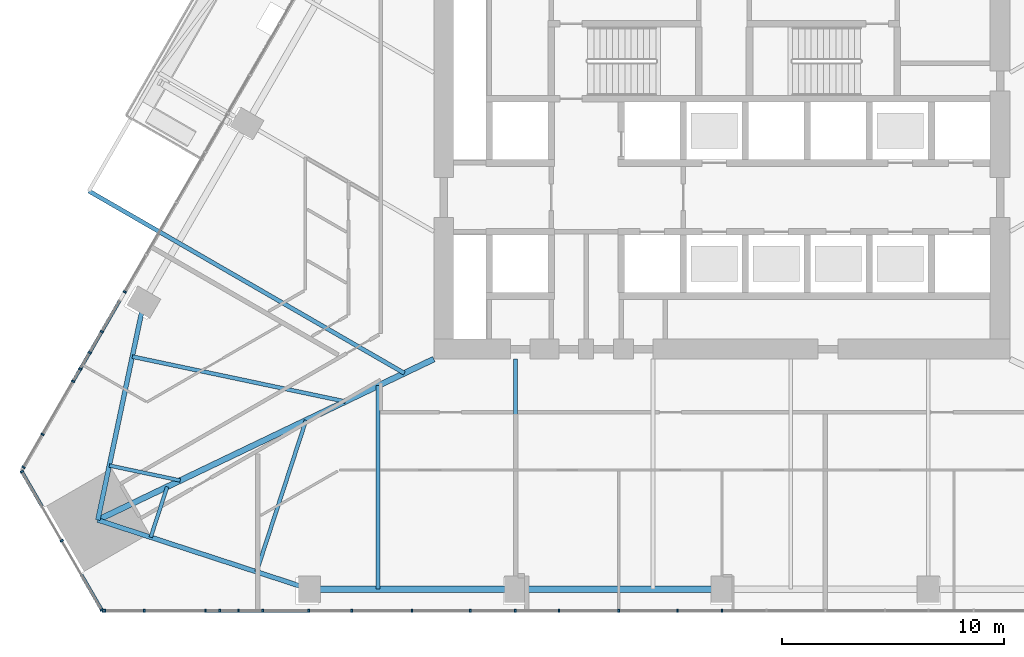
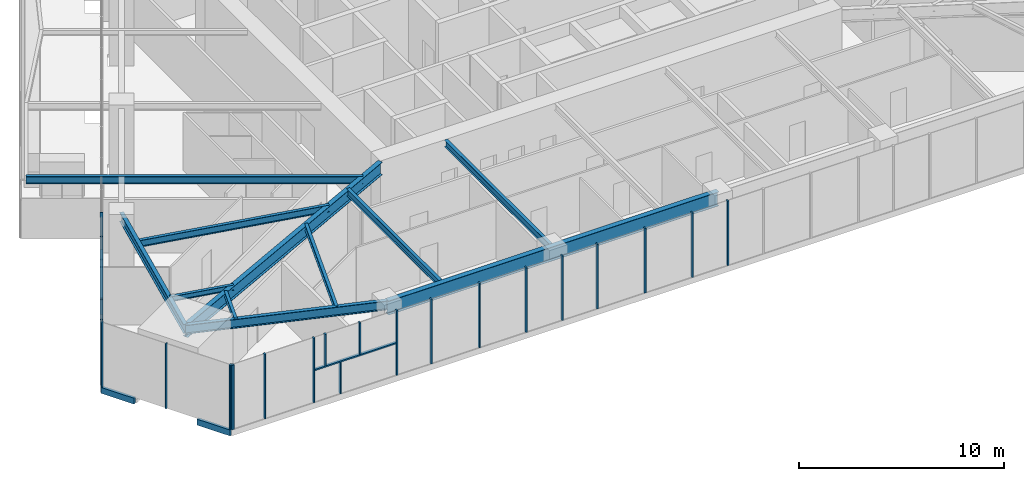
# One storey, part 2 of 26: 30 members, 11 beams, 3 elements without a shape of their own.
"""IFC4 building model written with IfcOpenShell, lengths in metres."""

from ifc_helpers import new_model, si_unit, direction, frame, origin, origin_2d, place, context, subcontext, project, spatial, rectangle, i_section, extrude, material, layer, layer_set, material_profile, profile_set, type_object, element, aggregate, save


model = new_model("IFC4")

# Units and contexts
model_context = context("Model", 3, precision=1e-05, world=origin(), true_north=direction((0.0, 1.0)))
body_context = subcontext(model_context, "Body", "Model", "MODEL_VIEW")
ifc_project = project(units=[si_unit("LENGTHUNIT", "METRE"), si_unit("AREAUNIT", "SQUARE_METRE"), si_unit("VOLUMEUNIT", "CUBIC_METRE"), si_unit("PLANEANGLEUNIT", "RADIAN"), si_unit("MASSUNIT", "GRAM", prefix="KILO")], contexts=[model_context])

# Site, building, storey
site_placement = place(None, origin())
site = spatial("IfcSite", under=ifc_project, at=site_placement, CompositionType="ELEMENT")
building_placement = place(site_placement, origin())
building = spatial("IfcBuilding", under=site, at=building_placement, Name="Firuza Gate Tower and Library", CompositionType="ELEMENT")
storey_placement = place(building_placement, frame((0.0, 0.0, 115.60009765625)))
storey = spatial("IfcBuildingStorey", under=building, at=storey_placement, Name="L26", CompositionType="ELEMENT", Elevation=115.60009765625)

# Curtain wall, members
ifc_material_1 = material(Name="Aluminium 6063-T6", Category="aluminium")
ifc_layer_1 = layer(ifc_material_1, 0.14990234375)
ifc_layer_set_1 = layer_set([ifc_layer_1], Name="Unitised curtain wall, offices")
curtain_wall_type_1 = type_object("IfcCurtainWallType", Name="Unitised curtain wall, offices", PredefinedType="NOTDEFINED", material=ifc_layer_set_1)
placement = place(storey_placement, origin())
curtain_wall_1 = element("IfcCurtainWall", 1, at=placement, inside=storey, type_object=curtain_wall_type_1, Name="CW1 L26 S face", PredefinedType="NOTDEFINED")
ifc_material_2 = material(Name="Aluminium 6063-T6", Category="aluminium")
ifc_material_profile_1 = material_profile(ifc_material_2, rectangle(XDim=0.14990234375, YDim=0.080078125, at=origin_2d()))
ifc_profile_set_1 = profile_set([ifc_material_profile_1], Name="Aluminium 6063-T6")
member_type_1 = type_object("IfcMemberType", Name="Curtain wall mullion 80x150", PredefinedType="MULLION", material=ifc_profile_set_1)
member_1_placement = place(storey_placement, frame((47.08154296875, 54.6513671875, 0.14990234375), z_axis=(0.0, 0.0, 1.0), x_axis=(0.0, 1.0, 0.0)))
member_1 = element("IfcMember", 2, at=member_1_placement, type_object=member_type_1, Name="Mullion", PredefinedType="MULLION", context=body_context, shape_type="SweptSolid", body=[
    extrude(rectangle(XDim=0.14990234375, YDim=0.080078125, at=origin_2d()), origin(), (0.0, 0.0, 1.0), 3.85009765625),
])
member_2_placement = place(storey_placement, frame((51.701171875, 54.6513671875, 0.14990234375), z_axis=(0.0, 0.0, 1.0), x_axis=(0.0, 1.0, 0.0)))
member_2 = element("IfcMember", 3, at=member_2_placement, type_object=member_type_1, Name="Mullion", PredefinedType="MULLION", context=body_context, shape_type="SweptSolid", body=[
    extrude(rectangle(XDim=0.14990234375, YDim=0.080078125, at=origin_2d()), origin(), (0.0, 0.0, 1.0), 3.85009765625),
])
member_3_placement = place(storey_placement, frame((56.361083984375, 54.6513671875, 0.14990234375), z_axis=(0.0, 0.0, 1.0), x_axis=(0.0, 1.0, 0.0)))
member_3 = element("IfcMember", 4, at=member_3_placement, type_object=member_type_1, Name="Mullion", PredefinedType="MULLION", context=body_context, shape_type="SweptSolid", body=[
    extrude(rectangle(XDim=0.14990234375, YDim=0.080078125, at=origin_2d()), origin(), (0.0, 0.0, 1.0), 3.85009765625),
])
member_4_placement = place(storey_placement, frame((61.020751953125, 54.6513671875, 0.14990234375), z_axis=(0.0, 0.0, 1.0), x_axis=(0.0, 1.0, 0.0)))
member_4 = element("IfcMember", 5, at=member_4_placement, type_object=member_type_1, Name="Mullion", PredefinedType="MULLION", context=body_context, shape_type="SweptSolid", body=[
    extrude(rectangle(XDim=0.14990234375, YDim=0.080078125, at=origin_2d()), origin(), (0.0, 0.0, 1.0), 3.85009765625),
])
member_5_placement = place(storey_placement, frame((65.680419921875, 54.6513671875, 0.14990234375), z_axis=(0.0, 0.0, 1.0), x_axis=(0.0, 1.0, 0.0)))
member_5 = element("IfcMember", 6, at=member_5_placement, type_object=member_type_1, Name="Mullion", PredefinedType="MULLION", context=body_context, shape_type="SweptSolid", body=[
    extrude(rectangle(XDim=0.14990234375, YDim=0.080078125, at=origin_2d()), origin(), (0.0, 0.0, 1.0), 3.85009765625),
])
member_6_placement = place(storey_placement, frame((70.34033203125, 54.6513671875, 0.14990234375), z_axis=(0.0, 0.0, 1.0), x_axis=(0.0, 1.0, 0.0)))
member_6 = element("IfcMember", 7, at=member_6_placement, type_object=member_type_1, Name="Mullion", PredefinedType="MULLION", context=body_context, shape_type="SweptSolid", body=[
    extrude(rectangle(XDim=0.14990234375, YDim=0.080078125, at=origin_2d()), origin(), (0.0, 0.0, 1.0), 3.85009765625),
])
member_7_placement = place(storey_placement, frame((75.0, 54.6513671875, 0.14990234375), z_axis=(0.0, 0.0, 1.0), x_axis=(0.0, 1.0, 0.0)))
member_7 = element("IfcMember", 8, at=member_7_placement, type_object=member_type_1, Name="Mullion", PredefinedType="MULLION", context=body_context, shape_type="SweptSolid", body=[
    extrude(rectangle(XDim=0.14990234375, YDim=0.080078125, at=origin_2d()), origin(), (0.0, 0.0, 1.0), 3.85009765625),
])
member_8_placement = place(storey_placement, frame((47.16015625, 54.6513671875, 0.14990234375), z_axis=(0.0, 0.0, 1.0), x_axis=(0.0, 1.0, 0.0)))
member_8 = element("IfcMember", 9, at=member_8_placement, type_object=member_type_1, Name="Mullion", PredefinedType="MULLION", context=body_context, shape_type="SweptSolid", body=[
    extrude(rectangle(XDim=0.14990234375, YDim=0.080078125, at=origin_2d()), origin(), (0.0, 0.0, 1.0), 3.85009765625),
])
member_9_placement = place(storey_placement, frame((48.941650390625, 54.6513671875, 0.14990234375), z_axis=(0.0, 0.0, 1.0), x_axis=(0.0, 1.0, 0.0)))
member_9 = element("IfcMember", 10, at=member_9_placement, type_object=member_type_1, Name="Mullion", PredefinedType="MULLION", context=body_context, shape_type="SweptSolid", body=[
    extrude(rectangle(XDim=0.14990234375, YDim=0.080078125, at=origin_2d()), origin(), (0.0, 0.0, 1.0), 3.85009765625),
])
member_10_placement = place(storey_placement, frame((53.193115234375, 54.6513671875, 0.14990234375), z_axis=(0.0, 0.0, 1.0), x_axis=(0.0, 1.0, 0.0)))
member_10 = element("IfcMember", 11, at=member_10_placement, type_object=member_type_1, Name="Mullion", PredefinedType="MULLION", context=body_context, shape_type="SweptSolid", body=[
    extrude(rectangle(XDim=0.14990234375, YDim=0.080078125, at=origin_2d()), origin(), (0.0, 0.0, 1.0), 1.885009765625),
])
member_11_placement = place(storey_placement, frame((52.346435546875, 54.6513671875, 2.114990234375), z_axis=(0.0, 0.0, 1.0), x_axis=(0.0, 1.0, 0.0)))
member_11 = element("IfcMember", 12, at=member_11_placement, type_object=member_type_1, Name="Mullion", PredefinedType="MULLION", context=body_context, shape_type="SweptSolid", body=[
    extrude(rectangle(XDim=0.14990234375, YDim=0.080078125, at=origin_2d()), origin(), (0.0, 0.0, 1.0), 1.885009765625),
])
member_12_placement = place(storey_placement, frame((54.287353515625, 54.6513671875, 2.114990234375), z_axis=(0.0, 0.0, 1.0), x_axis=(0.0, 1.0, 0.0)))
member_12 = element("IfcMember", 13, at=member_12_placement, type_object=member_type_1, Name="Mullion", PredefinedType="MULLION", context=body_context, shape_type="SweptSolid", body=[
    extrude(rectangle(XDim=0.14990234375, YDim=0.080078125, at=origin_2d()), origin(), (0.0, 0.0, 1.0), 1.885009765625),
])
member_13_placement = place(storey_placement, frame((58.2958984375, 54.6513671875, 0.14990234375), z_axis=(0.0, 0.0, 1.0), x_axis=(0.0, 1.0, 0.0)))
member_13 = element("IfcMember", 14, at=member_13_placement, type_object=member_type_1, Name="Mullion", PredefinedType="MULLION", context=body_context, shape_type="SweptSolid", body=[
    extrude(rectangle(XDim=0.14990234375, YDim=0.080078125, at=origin_2d()), origin(), (0.0, 0.0, 1.0), 3.85009765625),
])
member_14_placement = place(storey_placement, frame((63.641357421875, 54.6513671875, 0.14990234375), z_axis=(0.0, 0.0, 1.0), x_axis=(0.0, 1.0, 0.0)))
member_14 = element("IfcMember", 15, at=member_14_placement, type_object=member_type_1, Name="Mullion", PredefinedType="MULLION", context=body_context, shape_type="SweptSolid", body=[
    extrude(rectangle(XDim=0.14990234375, YDim=0.080078125, at=origin_2d()), origin(), (0.0, 0.0, 1.0), 3.85009765625),
])
member_15_placement = place(storey_placement, frame((67.650146484375, 54.6513671875, 0.14990234375), z_axis=(0.0, 0.0, 1.0), x_axis=(0.0, 1.0, 0.0)))
member_15 = element("IfcMember", 16, at=member_15_placement, type_object=member_type_1, Name="Mullion", PredefinedType="MULLION", context=body_context, shape_type="SweptSolid", body=[
    extrude(rectangle(XDim=0.14990234375, YDim=0.080078125, at=origin_2d()), origin(), (0.0, 0.0, 1.0), 3.85009765625),
])
member_16_placement = place(storey_placement, frame((72.99560546875, 54.6513671875, 0.14990234375), z_axis=(0.0, 0.0, 1.0), x_axis=(0.0, 1.0, 0.0)))
member_16 = element("IfcMember", 17, at=member_16_placement, type_object=member_type_1, Name="Mullion", PredefinedType="MULLION", context=body_context, shape_type="SweptSolid", body=[
    extrude(rectangle(XDim=0.14990234375, YDim=0.080078125, at=origin_2d()), origin(), (0.0, 0.0, 1.0), 3.85009765625),
])

curtain_wall_2 = element("IfcCurtainWall", 18, at=placement, inside=storey, type_object=curtain_wall_type_1, Name="CW1 L26 W face", PredefinedType="NOTDEFINED")
member_17_placement = place(storey_placement, frame((48.057861328125, 69.032470703125, 0.14990234375), z_axis=(0.0, 0.0, 1.0), x_axis=(0.866025403784, -0.5, 0.0)))
member_17 = element("IfcMember", 19, at=member_17_placement, type_object=member_type_1, Name="Mullion", PredefinedType="MULLION", context=body_context, shape_type="SweptSolid", body=[
    extrude(rectangle(XDim=0.14990234375, YDim=0.080078125, at=origin_2d()), origin(), (0.0, 0.0, 1.0), 3.85009765625),
])
member_18_placement = place(storey_placement, frame((45.72802734375, 64.9970703125, 0.14990234375), z_axis=(0.0, 0.0, 1.0), x_axis=(0.866025403784, -0.5, 0.0)))
member_18 = element("IfcMember", 20, at=member_18_placement, type_object=member_type_1, Name="Mullion", PredefinedType="MULLION", context=body_context, shape_type="SweptSolid", body=[
    extrude(rectangle(XDim=0.14990234375, YDim=0.080078125, at=origin_2d()), origin(), (0.0, 0.0, 1.0), 3.85009765625),
])
member_19_placement = place(storey_placement, frame((46.47412109375, 66.2890625, 0.14990234375), z_axis=(0.0, 0.0, 1.0), x_axis=(0.866025403784, -0.5, 0.0)))
member_19 = element("IfcMember", 21, at=member_19_placement, type_object=member_type_1, Name="Mullion", PredefinedType="MULLION", context=body_context, shape_type="SweptSolid", body=[
    extrude(rectangle(XDim=0.14990234375, YDim=0.080078125, at=origin_2d()), origin(), (0.0, 0.0, 1.0), 1.885009765625),
])
member_20_placement = place(storey_placement, frame((47.02099609375, 67.236572265625, 2.114990234375), z_axis=(0.0, 0.0, 1.0), x_axis=(0.866025403784, -0.5, 0.0)))
member_20 = element("IfcMember", 22, at=member_20_placement, type_object=member_type_1, Name="Mullion", PredefinedType="MULLION", context=body_context, shape_type="SweptSolid", body=[
    extrude(rectangle(XDim=0.14990234375, YDim=0.080078125, at=origin_2d()), origin(), (0.0, 0.0, 1.0), 1.885009765625),
])
member_21_placement = place(storey_placement, frame((46.05078125, 65.555908203125, 2.114990234375), z_axis=(0.0, 0.0, 1.0), x_axis=(0.866025403784, -0.5, 0.0)))
member_21 = element("IfcMember", 23, at=member_21_placement, type_object=member_type_1, Name="Mullion", PredefinedType="MULLION", context=body_context, shape_type="SweptSolid", body=[
    extrude(rectangle(XDim=0.14990234375, YDim=0.080078125, at=origin_2d()), origin(), (0.0, 0.0, 1.0), 1.885009765625),
])
member_22_placement = place(storey_placement, frame((44.348388671875, 62.607177734375, 0.14990234375), z_axis=(0.0, 0.0, 1.0), x_axis=(0.866025403784, -0.5, 0.0)))
member_22 = element("IfcMember", 24, at=member_22_placement, type_object=member_type_1, Name="Mullion", PredefinedType="MULLION", context=body_context, shape_type="SweptSolid", body=[
    extrude(rectangle(XDim=0.14990234375, YDim=0.080078125, at=origin_2d()), origin(), (0.0, 0.0, 1.0), 3.85009765625),
])
member_23_placement = place(storey_placement, frame((43.489990234375, 61.12060546875, 0.14990234375), z_axis=(0.0, 0.0, 1.0), x_axis=(0.866025403784, -0.5, 0.0)))
member_23 = element("IfcMember", 25, at=member_23_placement, type_object=member_type_1, Name="Mullion", PredefinedType="MULLION", context=body_context, shape_type="SweptSolid", body=[
    extrude(rectangle(XDim=0.14990234375, YDim=0.080078125, at=origin_2d()), origin(), (0.0, 0.0, 1.0), 3.85009765625),
])

ifc_material_3 = material(Name="Aluminium 6063-T6", Category="aluminium")
ifc_layer_2 = layer(ifc_material_3, 0.14990234375)
ifc_layer_set_2 = layer_set([ifc_layer_2], Name="Corner curtain wall, chamfers")
curtain_wall_type_2 = type_object("IfcCurtainWallType", Name="Corner curtain wall, chamfers", PredefinedType="NOTDEFINED", material=ifc_layer_set_2)
curtain_wall_3 = element("IfcCurtainWall", 26, at=placement, inside=storey, type_object=curtain_wall_type_2, Name="CW4 L26 SW corner", PredefinedType="NOTDEFINED")
member_24_placement = place(storey_placement, frame((43.418212890625, 60.927001953125, 0.14990234375), z_axis=(0.0, 0.0, 1.0), x_axis=(0.866025403784, 0.5, 0.0)))
member_24 = element("IfcMember", 27, at=member_24_placement, type_object=member_type_1, Name="Mullion", PredefinedType="MULLION", context=body_context, shape_type="SweptSolid", body=[
    extrude(rectangle(XDim=0.14990234375, YDim=0.080078125, at=origin_2d()), origin(), (0.0, 0.0, 1.0), 3.85009765625),
])
member_25_placement = place(storey_placement, frame((45.219970703125, 57.806396484375, 0.14990234375), z_axis=(0.0, 0.0, 1.0), x_axis=(0.866025403784, 0.5, 0.0)))
member_25 = element("IfcMember", 28, at=member_25_placement, type_object=member_type_1, Name="Mullion", PredefinedType="MULLION", context=body_context, shape_type="SweptSolid", body=[
    extrude(rectangle(XDim=0.14990234375, YDim=0.080078125, at=origin_2d()), origin(), (0.0, 0.0, 1.0), 3.85009765625),
])
member_26_placement = place(storey_placement, frame((47.021484375, 54.685791015625, 0.14990234375), z_axis=(0.0, 0.0, 1.0), x_axis=(0.866025403784, 0.5, 0.0)))
member_26 = element("IfcMember", 29, at=member_26_placement, type_object=member_type_1, Name="Mullion", PredefinedType="MULLION", context=body_context, shape_type="SweptSolid", body=[
    extrude(rectangle(XDim=0.14990234375, YDim=0.080078125, at=origin_2d()), origin(), (0.0, 0.0, 1.0), 3.85009765625),
])
ifc_material_4 = material(Name="Aluminium 6063-T6", Category="aluminium")
ifc_material_profile_2 = material_profile(ifc_material_4, rectangle(XDim=0.14990234375, YDim=0.35009765625, at=origin_2d()))
ifc_profile_set_2 = profile_set([ifc_material_profile_2], Name="Aluminium 6063-T6")
member_type_2 = type_object("IfcMemberType", Name="Curtain wall transom 350x150", PredefinedType="USERDEFINED", material=ifc_profile_set_2)
member_27_placement = place(storey_placement, frame((43.398193359375, 60.961669921875, -0.025146484375), z_axis=(0.500013496215, -0.866017611601, 0.0), x_axis=(0.866017611601, 0.500013496215, 0.0)))
member_27 = element("IfcMember", 30, at=member_27_placement, type_object=member_type_2, Name="Transom", ObjectType="TRANSOM", PredefinedType="USERDEFINED", context=body_context, shape_type="SweptSolid", body=[
    extrude(rectangle(XDim=0.14990234375, YDim=0.35009765625, at=origin_2d()), origin(), (0.0, 0.0, 1.0), 1.86376953125),
])
member_28_placement = place(storey_placement, frame((46.10986328125, 56.26513671875, -0.025146484375), z_axis=(0.499971966783, -0.866041588165, 0.0), x_axis=(0.866041588165, 0.499971966783, 0.0)))
member_28 = element("IfcMember", 31, at=member_28_placement, type_object=member_type_2, Name="Transom", ObjectType="TRANSOM", PredefinedType="USERDEFINED", context=body_context, shape_type="SweptSolid", body=[
    extrude(rectangle(XDim=0.14990234375, YDim=0.35009765625, at=origin_2d()), origin(), (0.0, 0.0, 1.0), 1.86328125),
])
aggregate(curtain_wall_3, [member_24, member_25, member_26, member_27, member_28])

# Member
ifc_material_5 = material(Name="Aluminium 6063-T6", Category="aluminium")
ifc_material_profile_3 = material_profile(ifc_material_5, rectangle(XDim=0.14990234375, YDim=0.080078125, at=origin_2d()))
ifc_profile_set_3 = profile_set([ifc_material_profile_3], Name="Aluminium 6063-T6")
member_type_3 = type_object("IfcMemberType", Name="Curtain wall transom 80x150", PredefinedType="USERDEFINED", material=ifc_profile_set_3)
member_29_placement = place(storey_placement, frame((51.7412109375, 54.6513671875, 2.074951171875), z_axis=(1.0, 0.0, 0.0), x_axis=(0.0, 1.0, 0.0)))
member_29 = element("IfcMember", 32, at=member_29_placement, type_object=member_type_3, Name="Transom", ObjectType="TRANSOM", PredefinedType="USERDEFINED", context=body_context, shape_type="SweptSolid", body=[
    extrude(rectangle(XDim=0.14990234375, YDim=0.080078125, at=origin_2d()), origin(), (0.0, 0.0, 1.0), 4.579833984375),
])

aggregate(curtain_wall_1, [member_1, member_2, member_3, member_4, member_5, member_6, member_7, member_8, member_9, member_10, member_11, member_12, member_29, member_13, member_14, member_15, member_16])

member_30_placement = place(storey_placement, frame((47.828857421875, 68.6357421875, 2.074951171875), z_axis=(-0.500006834213, -0.866021458014, 0.0), x_axis=(0.866021458014, -0.500006834213, 0.0)))
member_30 = element("IfcMember", 33, at=member_30_placement, type_object=member_type_3, Name="Transom", ObjectType="TRANSOM", PredefinedType="USERDEFINED", context=body_context, shape_type="SweptSolid", body=[
    extrude(rectangle(XDim=0.14990234375, YDim=0.080078125, at=origin_2d()), origin(), (0.0, 0.0, 1.0), 4.16162109375),
])

aggregate(curtain_wall_2, [member_17, member_18, member_19, member_20, member_21, member_30, member_22, member_23])

# Beams
ifc_material_6 = material(Name="Steel S355", Category="steel")
ifc_material_profile_4 = material_profile(ifc_material_6, i_section(OverallWidth=0.1650390625, OverallDepth=0.31005859375, WebThickness=0.005859375, FlangeThickness=0.009765625, at=origin_2d()))
ifc_profile_set_4 = profile_set([ifc_material_profile_4], Name="Steel S355")
beam_type_1 = type_object("IfcBeamType", Name="W310x39 Floor beam", PredefinedType="JOIST", material=ifc_profile_set_4)
beam_1_placement = place(storey_placement, frame((47.362060546875, 61.200439453125, 3.844970703125), z_axis=(0.978457064739, -0.206450411631, 0.0), x_axis=(0.206450411631, 0.978457064739, 0.0)))
element("IfcBeam", 34, at=beam_1_placement, inside=storey, type_object=beam_type_1, Name="Floor beam L26 s01", PredefinedType="JOIST", context=body_context, shape_type="SweptSolid", body=[
    extrude(i_section(OverallWidth=0.1650390625, OverallDepth=0.31005859375, WebThickness=0.005859375, FlangeThickness=0.009765625, at=origin_2d()), origin(), (0.0, 0.0, 1.0), 3.272216796875),
])
beam_2_placement = place(storey_placement, frame((49.230224609375, 57.964599609375, 3.844970703125), z_axis=(0.31050698786, 0.95057109702, 0.0), x_axis=(-0.95057109702, 0.31050698786, 0.0)))
element("IfcBeam", 35, at=beam_2_placement, inside=storey, type_object=beam_type_1, Name="Floor beam L26 s10", PredefinedType="JOIST", context=body_context, shape_type="SweptSolid", body=[
    extrude(i_section(OverallWidth=0.1650390625, OverallDepth=0.31005859375, WebThickness=0.005859375, FlangeThickness=0.009765625, at=origin_2d()), origin(), (0.0, 0.0, 1.0), 2.396484375),
])
ifc_material_7 = material(Name="Steel S355", Category="steel")
ifc_material_profile_5 = material_profile(ifc_material_7, i_section(OverallWidth=0.1708984375, OverallDepth=0.35498046875, WebThickness=0.007080078125, FlangeThickness=0.01171875, at=origin_2d()))
ifc_profile_set_5 = profile_set([ifc_material_profile_5], Name="Steel S355")
beam_type_2 = type_object("IfcBeamType", Name="W360x51 Floor beam", PredefinedType="JOIST", material=ifc_profile_set_5)
beam_3_placement = place(storey_placement, frame((54.00341796875, 56.40576171875, 3.822509765625), z_axis=(0.310435598009, 0.950594413769, 0.0), x_axis=(-0.950594413769, 0.310435598009, 0.0)))
element("IfcBeam", 36, at=beam_3_placement, inside=storey, type_object=beam_type_2, Name="Floor beam L26 s11", PredefinedType="JOIST", context=body_context, shape_type="SweptSolid", body=[
    extrude(i_section(OverallWidth=0.1708984375, OverallDepth=0.35498046875, WebThickness=0.007080078125, FlangeThickness=0.01171875, at=origin_2d()), origin(), (0.0, 0.0, 1.0), 7.189697265625),
])
ifc_material_8 = material(Name="Steel S355", Category="steel")
ifc_material_profile_6 = material_profile(ifc_material_8, i_section(OverallWidth=0.177978515625, OverallDepth=0.406982421875, WebThickness=0.0078125, FlangeThickness=0.0126953125, at=origin_2d()))
ifc_profile_set_6 = profile_set([ifc_material_profile_6], Name="Steel S355")
beam_type_3 = type_object("IfcBeamType", Name="W410x60 Floor beam", PredefinedType="JOIST", material=ifc_profile_set_6)
beam_4_placement = place(storey_placement, frame((48.3984375, 66.113525390625, 3.79638671875), z_axis=(0.978460244471, -0.206435340942, 0.0), x_axis=(0.206435340942, 0.978460244471, 0.0)))
element("IfcBeam", 37, at=beam_4_placement, inside=storey, type_object=beam_type_3, Name="Floor beam L26 s00", PredefinedType="JOIST", context=body_context, shape_type="SweptSolid", body=[
    extrude(i_section(OverallWidth=0.177978515625, OverallDepth=0.406982421875, WebThickness=0.0078125, FlangeThickness=0.0126953125, at=origin_2d()), origin(), (0.0, 0.0, 1.0), 9.817138671875),
])
beam_5_placement = place(storey_placement, frame((59.491455078125, 55.626220703125, 3.79638671875), z_axis=(0.0, 1.0, 0.0), x_axis=(-1.0, 0.0, 0.0)))
element("IfcBeam", 38, at=beam_5_placement, inside=storey, type_object=beam_type_3, Name="Floor beam L26 s20", PredefinedType="JOIST", context=body_context, shape_type="SweptSolid", body=[
    extrude(i_section(OverallWidth=0.177978515625, OverallDepth=0.406982421875, WebThickness=0.0078125, FlangeThickness=0.0126953125, at=origin_2d()), origin(), (0.0, 0.0, 1.0), 9.1728515625),
])
beam_6_placement = place(storey_placement, frame((65.69482421875, 55.626220703125, 3.79638671875), z_axis=(0.0, 1.0, 0.0), x_axis=(-1.0, 0.0, 0.0)))
element("IfcBeam", 39, at=beam_6_placement, inside=storey, type_object=beam_type_3, Name="Floor beam L26 s21", PredefinedType="JOIST", context=body_context, shape_type="SweptSolid", body=[
    extrude(i_section(OverallWidth=0.177978515625, OverallDepth=0.406982421875, WebThickness=0.0078125, FlangeThickness=0.0126953125, at=origin_2d()), origin(), (0.0, 0.0, 1.0), 10.373779296875),
])
ifc_material_9 = material(Name="Steel S355", Category="steel")
ifc_material_profile_7 = material_profile(ifc_material_9, i_section(OverallWidth=0.18994140625, OverallDepth=0.45703125, WebThickness=0.009033203125, FlangeThickness=0.014404296875, at=origin_2d()))
ifc_profile_set_7 = profile_set([ifc_material_profile_7], Name="Steel S355")
beam_type_4 = type_object("IfcBeamType", Name="W460x74 Floor beam", PredefinedType="JOIST", material=ifc_profile_set_7)
beam_7_placement = place(storey_placement, frame((46.440673828125, 73.581298828125, 3.771484375), z_axis=(0.866022053731, -0.500005802418, 0.0), x_axis=(0.500005802418, 0.866022053731, 0.0)))
element("IfcBeam", 40, at=beam_7_placement, inside=storey, type_object=beam_type_4, Name="Floor beam L26 s85", PredefinedType="JOIST", context=body_context, shape_type="SweptSolid", body=[
    extrude(i_section(OverallWidth=0.18994140625, OverallDepth=0.45703125, WebThickness=0.009033203125, FlangeThickness=0.014404296875, at=origin_2d()), origin(), (0.0, 0.0, 1.0), 16.433349609375),
])
ifc_material_10 = material(Name="Steel S355", Category="steel")
ifc_material_profile_8 = material_profile(ifc_material_10, i_section(OverallWidth=0.212890625, OverallDepth=0.5390625, WebThickness=0.01171875, FlangeThickness=0.018798828125, at=origin_2d()))
ifc_profile_set_8 = profile_set([ifc_material_profile_8], Name="Steel S355")
beam_type_5 = type_object("IfcBeamType", Name="W530x109 Edge beam", PredefinedType="SPANDREL", material=ifc_profile_set_8)
beam_8_placement = place(storey_placement, frame((48.916748046875, 68.570068359375, 3.73046875), z_axis=(-0.206423360116, -0.978462772107, 0.0), x_axis=(0.978462772107, -0.206423360116, 0.0)))
element("IfcBeam", 41, at=beam_8_placement, inside=storey, type_object=beam_type_5, Name="Edge beam L26 e00", PredefinedType="SPANDREL", context=body_context, shape_type="SweptSolid", body=[
    extrude(i_section(OverallWidth=0.212890625, OverallDepth=0.5390625, WebThickness=0.01171875, FlangeThickness=0.018798828125, at=origin_2d()), origin(), (0.0, 0.0, 1.0), 10.04248046875),
])
beam_9_placement = place(storey_placement, frame((46.84375, 58.743896484375, 3.73046875), z_axis=(0.950588765818, -0.310452892241, 0.0), x_axis=(0.310452892241, 0.950588765818, 0.0)))
element("IfcBeam", 42, at=beam_9_placement, inside=storey, type_object=beam_type_5, Name="Edge beam L26 e10", PredefinedType="SPANDREL", context=body_context, shape_type="SweptSolid", body=[
    extrude(i_section(OverallWidth=0.212890625, OverallDepth=0.5390625, WebThickness=0.01171875, FlangeThickness=0.018798828125, at=origin_2d()), origin(), (0.0, 0.0, 1.0), 10.042236328125),
])
ifc_material_11 = material(Name="Steel S355", Category="steel")
ifc_material_profile_9 = material_profile(ifc_material_11, i_section(OverallWidth=0.264892578125, OverallDepth=0.7529296875, WebThickness=0.01318359375, FlangeThickness=0.01708984375, at=origin_2d()))
ifc_profile_set_9 = profile_set([ifc_material_profile_9], Name="Steel S355")
beam_type_6 = type_object("IfcBeamType", Name="W760x147 Girder", PredefinedType="BEAM", material=ifc_profile_set_9)
beam_10_placement = place(storey_placement, frame((46.84375, 58.743896484375, 3.623291015625), z_axis=(0.901961298657, 0.431816877535, 0.0), x_axis=(-0.431816877535, 0.901961298657, 0.0)))
element("IfcBeam", 43, at=beam_10_placement, inside=storey, type_object=beam_type_6, Name="Girder L26 gSW", PredefinedType="BEAM", context=body_context, shape_type="SweptSolid", body=[
    extrude(i_section(OverallWidth=0.264892578125, OverallDepth=0.7529296875, WebThickness=0.01318359375, FlangeThickness=0.01708984375, at=origin_2d()), origin(), (0.0, 0.0, 1.0), 16.8037109375),
])
ifc_material_12 = material(Name="Steel S355", Category="steel")
ifc_material_profile_10 = material_profile(ifc_material_12, i_section(OverallWidth=0.2919921875, OverallDepth=0.8349609375, WebThickness=0.013916015625, FlangeThickness=0.018798828125, at=origin_2d()))
ifc_profile_set_10 = profile_set([ifc_material_profile_10], Name="Steel S355")
beam_type_7 = type_object("IfcBeamType", Name="W840x176 Edge beam", PredefinedType="SPANDREL", material=ifc_profile_set_10)
beam_11_placement = place(storey_placement, frame((56.389892578125, 55.626220703125, 3.58251953125), z_axis=(1.0, 0.0, 0.0), x_axis=(0.0, 1.0, 0.0)))
element("IfcBeam", 44, at=beam_11_placement, inside=storey, type_object=beam_type_7, Name="Edge beam L26 e20", PredefinedType="SPANDREL", context=body_context, shape_type="SweptSolid", body=[
    extrude(i_section(OverallWidth=0.2919921875, OverallDepth=0.8349609375, WebThickness=0.013916015625, FlangeThickness=0.018798828125, at=origin_2d()), origin(), (0.0, 0.0, 1.0), 18.610107421875),
])

save(model, "model.ifc")
